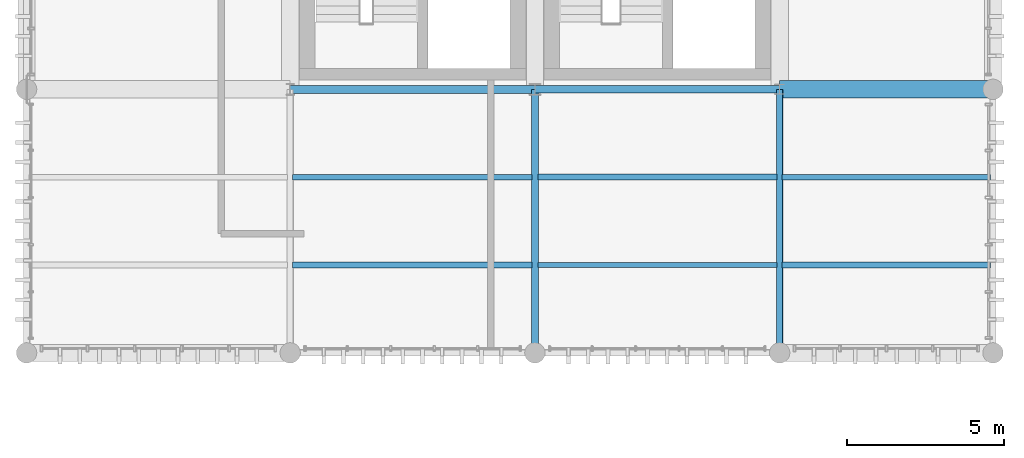
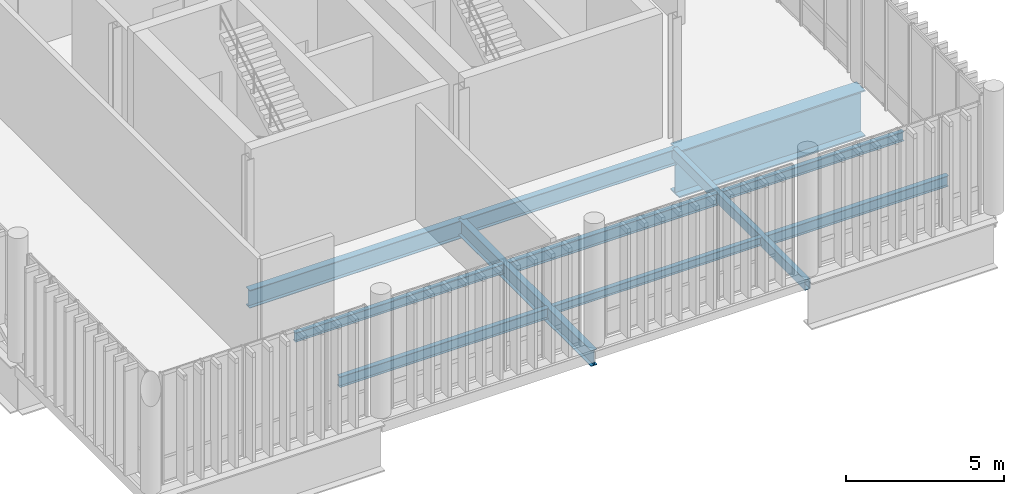
# One storey, part 44 of 81: 11 beams.
"""IFC4 building model written with IfcOpenShell, lengths in metres."""

from ifc_helpers import new_model, si_unit, direction, frame, origin_with_axes, origin_2d_with_axis, place, context, subcontext, project, spatial, hollow_rectangle, i_section, extrude, material, material_profile, profile_set, type_object, element, save


model = new_model("IFC4")

# Units and contexts
model_context = context("Model", 3, precision=1e-05, world=origin_with_axes(), true_north=direction((0.0, 1.0)))
body_context = subcontext(model_context, "Body", "Model", "MODEL_VIEW")
ifc_project = project(units=[si_unit("LENGTHUNIT", "METRE"), si_unit("AREAUNIT", "SQUARE_METRE"), si_unit("VOLUMEUNIT", "CUBIC_METRE"), si_unit("PLANEANGLEUNIT", "RADIAN"), si_unit("MASSUNIT", "GRAM", prefix="KILO"), si_unit("THERMODYNAMICTEMPERATUREUNIT", "KELVIN")], contexts=[model_context])

# Site, building, storey
site_placement = place(None, origin_with_axes())
site = spatial("IfcSite", under=ifc_project, at=site_placement, CompositionType="ELEMENT")
building_placement = place(site_placement, origin_with_axes())
building = spatial("IfcBuilding", under=site, at=building_placement, Name="Montbau Bow Law Courts", CompositionType="ELEMENT")
storey_placement = place(building_placement, frame((0.0, 0.0, 24.9), z_axis=(0.0, 0.0, 1.0), x_axis=(1.0, 0.0, 0.0)))
storey = spatial("IfcBuildingStorey", under=building, at=storey_placement, Name="L05", CompositionType="ELEMENT", Elevation=24.9)

# Beams
ifc_material_1 = material(Name="Steel CSA G40.21 Grade 350W (350 MPa)", Category="steel")
ifc_material_profile_1 = material_profile(ifc_material_1, i_section(OverallWidth=0.254, OverallDepth=0.688, WebThickness=0.0131, FlangeThickness=0.0211, at=origin_2d_with_axis()), Name="W690X152", Category="Main", Priority=0)
ifc_profile_set_1 = profile_set([ifc_material_profile_1], Name="Steel CSA G40.21 Grade 350W (350 MPa)")
beam_type_1 = type_object("IfcBeamType", Name="B-FLR-04", PredefinedType="BEAM", material=ifc_profile_set_1)
beam_1_placement = place(None, frame((147.0, 86.4, 24.256), z_axis=(1.0, 0.0, 0.0), x_axis=(0.0, 1.0, 0.0)))
element("IfcBeam", 1, at=beam_1_placement, inside=storey, type_object=beam_type_1, Name="BM-L05-S1287:bm2_1290", PredefinedType="BEAM", context=body_context, shape_type="SweptSolid", body=[
    extrude(i_section(OverallWidth=0.254, OverallDepth=0.688, WebThickness=0.0131, FlangeThickness=0.0211, at=origin_2d_with_axis()), origin_with_axes(), (0.0, 0.0, 1.0), 7.8),
])
ifc_material_profile_2 = material_profile(ifc_material_1, i_section(OverallWidth=0.229, OverallDepth=0.612, WebThickness=0.0119, FlangeThickness=0.0196, at=origin_2d_with_axis()), Name="W610X125", Category="Main", Priority=0)
ifc_profile_set_2 = profile_set([ifc_material_profile_2], Name="Steel CSA G40.21 Grade 350W (350 MPa)")
beam_type_2 = type_object("IfcBeamType", Name="B-FLR-05", PredefinedType="BEAM", material=ifc_profile_set_2)
beam_2_placement = place(None, frame((154.8, 86.4, 24.294), z_axis=(1.0, 0.0, 0.0), x_axis=(0.0, 1.0, 0.0)))
element("IfcBeam", 2, at=beam_2_placement, inside=storey, type_object=beam_type_2, Name="BM-L05-S1288:bm2_1291", PredefinedType="BEAM", context=body_context, shape_type="SweptSolid", body=[
    extrude(i_section(OverallWidth=0.229, OverallDepth=0.612, WebThickness=0.0119, FlangeThickness=0.0196, at=origin_2d_with_axis()), origin_with_axes(), (0.0, 0.0, 1.0), 7.8),
])
beam_3_placement = place(None, frame((154.8, 78.0, 24.294), z_axis=(0.0, 1.0, 0.0), x_axis=(-1.0, 0.0, 0.0)))
element("IfcBeam", 3, at=beam_3_placement, inside=storey, type_object=beam_type_2, Name="BM-L05-S1294:bm2_1297", PredefinedType="BEAM", context=body_context, shape_type="SweptSolid", body=[
    extrude(i_section(OverallWidth=0.229, OverallDepth=0.612, WebThickness=0.0119, FlangeThickness=0.0196, at=origin_2d_with_axis()), origin_with_axes(), (0.0, 0.0, 1.0), 8.4),
])
ifc_material_profile_3 = material_profile(ifc_material_1, i_section(OverallWidth=0.191, OverallDepth=0.46, WebThickness=0.0099, FlangeThickness=0.016, at=origin_2d_with_axis()), Name="W460X82", Category="Main", Priority=0)
ifc_profile_set_3 = profile_set([ifc_material_profile_3], Name="Steel CSA G40.21 Grade 350W (350 MPa)")
beam_type_3 = type_object("IfcBeamType", Name="B-JST-01", PredefinedType="JOIST", material=ifc_profile_set_3)
beam_4_placement = place(None, frame((154.891, 83.6, 24.37), z_axis=(1.0, 0.0, 0.0), x_axis=(0.0, 1.0, 0.0)))
element("IfcBeam", 4, at=beam_4_placement, inside=storey, type_object=beam_type_3, Name="JST-L05-S0696:jst2_0696", PredefinedType="JOIST", context=body_context, shape_type="SweptSolid", body=[
    extrude(i_section(OverallWidth=0.191, OverallDepth=0.46, WebThickness=0.0099, FlangeThickness=0.016, at=origin_2d_with_axis()), origin_with_axes(), (0.0, 0.0, 1.0), 7.629),
])
ifc_material_profile_4 = material_profile(ifc_material_1, i_section(OverallWidth=0.179, OverallDepth=0.41, WebThickness=0.0088, FlangeThickness=0.0144, at=origin_2d_with_axis()), Name="W410X67", Category="Main", Priority=0)
ifc_profile_set_4 = profile_set([ifc_material_profile_4], Name="Steel CSA G40.21 Grade 350W (350 MPa)")
beam_type_4 = type_object("IfcBeamType", Name="B-JST-02", PredefinedType="JOIST", material=ifc_profile_set_4)
beam_5_placement = place(None, frame((147.08, 80.8, 24.395), z_axis=(1.0, 0.0, 0.0), x_axis=(0.0, 1.0, 0.0)))
element("IfcBeam", 5, at=beam_5_placement, inside=storey, type_object=beam_type_4, Name="JST-L05-S0693:jst2_0693", PredefinedType="JOIST", context=body_context, shape_type="SweptSolid", body=[
    extrude(i_section(OverallWidth=0.179, OverallDepth=0.41, WebThickness=0.0088, FlangeThickness=0.0144, at=origin_2d_with_axis()), origin_with_axes(), (0.0, 0.0, 1.0), 7.63),
])
beam_6_placement = place(None, frame((162.68, 80.8, 24.395), z_axis=(1.0, 0.0, 0.0), x_axis=(0.0, 1.0, 0.0)))
element("IfcBeam", 6, at=beam_6_placement, inside=storey, type_object=beam_type_4, Name="JST-L05-S0705:jst2_0705", PredefinedType="JOIST", context=body_context, shape_type="SweptSolid", body=[
    extrude(i_section(OverallWidth=0.179, OverallDepth=0.41, WebThickness=0.0088, FlangeThickness=0.0144, at=origin_2d_with_axis()), origin_with_axes(), (0.0, 0.0, 1.0), 6.64),
])
ifc_material_profile_5 = material_profile(ifc_material_1, i_section(OverallWidth=0.172, OverallDepth=0.358, WebThickness=0.0079, FlangeThickness=0.0131, at=origin_2d_with_axis()), Name="W360X57", Category="Main", Priority=0)
ifc_profile_set_5 = profile_set([ifc_material_profile_5], Name="Steel CSA G40.21 Grade 350W (350 MPa)")
beam_type_5 = type_object("IfcBeamType", Name="B-JST-03", PredefinedType="JOIST", material=ifc_profile_set_5)
beam_7_placement = place(None, frame((147.08, 83.6, 24.421), z_axis=(1.0, 0.0, 0.0), x_axis=(0.0, 1.0, 0.0)))
element("IfcBeam", 7, at=beam_7_placement, inside=storey, type_object=beam_type_5, Name="JST-L05-S0694:jst2_0694", PredefinedType="JOIST", context=body_context, shape_type="SweptSolid", body=[
    extrude(i_section(OverallWidth=0.172, OverallDepth=0.358, WebThickness=0.0079, FlangeThickness=0.0131, at=origin_2d_with_axis()), origin_with_axes(), (0.0, 0.0, 1.0), 7.63),
])
beam_8_placement = place(None, frame((162.68, 83.6, 24.421), z_axis=(1.0, 0.0, 0.0), x_axis=(0.0, 1.0, 0.0)))
element("IfcBeam", 8, at=beam_8_placement, inside=storey, type_object=beam_type_5, Name="JST-L05-S0706:jst2_0706", PredefinedType="JOIST", context=body_context, shape_type="SweptSolid", body=[
    extrude(i_section(OverallWidth=0.172, OverallDepth=0.358, WebThickness=0.0079, FlangeThickness=0.0131, at=origin_2d_with_axis()), origin_with_axes(), (0.0, 0.0, 1.0), 6.64),
])
ifc_material_profile_6 = material_profile(ifc_material_1, i_section(OverallWidth=0.166, OverallDepth=0.313, WebThickness=0.0066, FlangeThickness=0.0112, at=origin_2d_with_axis()), Name="W310X45", Category="Main", Priority=0)
ifc_profile_set_6 = profile_set([ifc_material_profile_6], Name="Steel CSA G40.21 Grade 350W (350 MPa)")
beam_type_6 = type_object("IfcBeamType", Name="B-JST-04", PredefinedType="JOIST", material=ifc_profile_set_6)
beam_9_placement = place(None, frame((154.891, 80.8, 24.444), z_axis=(1.0, 0.0, 0.0), x_axis=(0.0, 1.0, 0.0)))
element("IfcBeam", 9, at=beam_9_placement, inside=storey, type_object=beam_type_6, Name="JST-L05-S0695:jst2_0695", PredefinedType="JOIST", context=body_context, shape_type="SweptSolid", body=[
    extrude(i_section(OverallWidth=0.166, OverallDepth=0.313, WebThickness=0.0066, FlangeThickness=0.0112, at=origin_2d_with_axis()), origin_with_axes(), (0.0, 0.0, 1.0), 7.629),
])
ifc_material_2 = material(Name="Steel CSA G40.21 Grade 350WT (350 MPa)", Category="steel")
ifc_material_profile_7 = material_profile(ifc_material_2, hollow_rectangle(XDim=0.203, YDim=0.406, WallThickness=0.0127, InnerFilletRadius=0.0254, OuterFilletRadius=0.0127, at=origin_2d_with_axis()), Name="HSS406X203X13", Category="Main", Priority=0)
ifc_profile_set_7 = profile_set([ifc_material_profile_7], Name="Steel CSA G40.21 Grade 350WT (350 MPa)")
beam_type_7 = type_object("IfcBeamType", Name="B-SPN-01", PredefinedType="SPANDREL", material=ifc_profile_set_7)
beam_10_placement = place(None, frame((162.6, 78.0, 24.397), z_axis=(0.0, 1.0, 0.0), x_axis=(-1.0, 0.0, 0.0)))
element("IfcBeam", 10, at=beam_10_placement, inside=storey, type_object=beam_type_7, Name="SPN-L05-S1295:bm2_1298", PredefinedType="SPANDREL", context=body_context, shape_type="SweptSolid", body=[
    extrude(hollow_rectangle(XDim=0.203, YDim=0.406, WallThickness=0.0127, InnerFilletRadius=0.0254, OuterFilletRadius=0.0127, at=origin_2d_with_axis()), origin_with_axes(), (0.0, 0.0, 1.0), 8.4),
])
ifc_material_profile_8 = material_profile(ifc_material_2, i_section(OverallWidth=0.55, OverallDepth=1.8, WebThickness=0.022, FlangeThickness=0.05, at=origin_2d_with_axis()), Name="WWF1800X550", Category="Main", Priority=0)
ifc_profile_set_8 = profile_set([ifc_material_profile_8], Name="Steel CSA G40.21 Grade 350WT (350 MPa)")
beam_type_8 = type_object("IfcBeamType", Name="B-TRG-01", PredefinedType="USERDEFINED", material=ifc_profile_set_8)
beam_11_placement = place(None, frame((162.6, 86.4, 23.7), z_axis=(1.0, 0.0, 0.0), x_axis=(0.0, 1.0, 0.0)))
element("IfcBeam", 11, at=beam_11_placement, inside=storey, type_object=beam_type_8, Name="TRG-L05-S0091:bm2_0094", ObjectType="GIRDER", PredefinedType="USERDEFINED", context=body_context, shape_type="SweptSolid", body=[
    extrude(i_section(OverallWidth=0.55, OverallDepth=1.8, WebThickness=0.022, FlangeThickness=0.05, at=origin_2d_with_axis()), origin_with_axes(), (0.0, 0.0, 1.0), 6.8),
])

save(model, "model.ifc")
